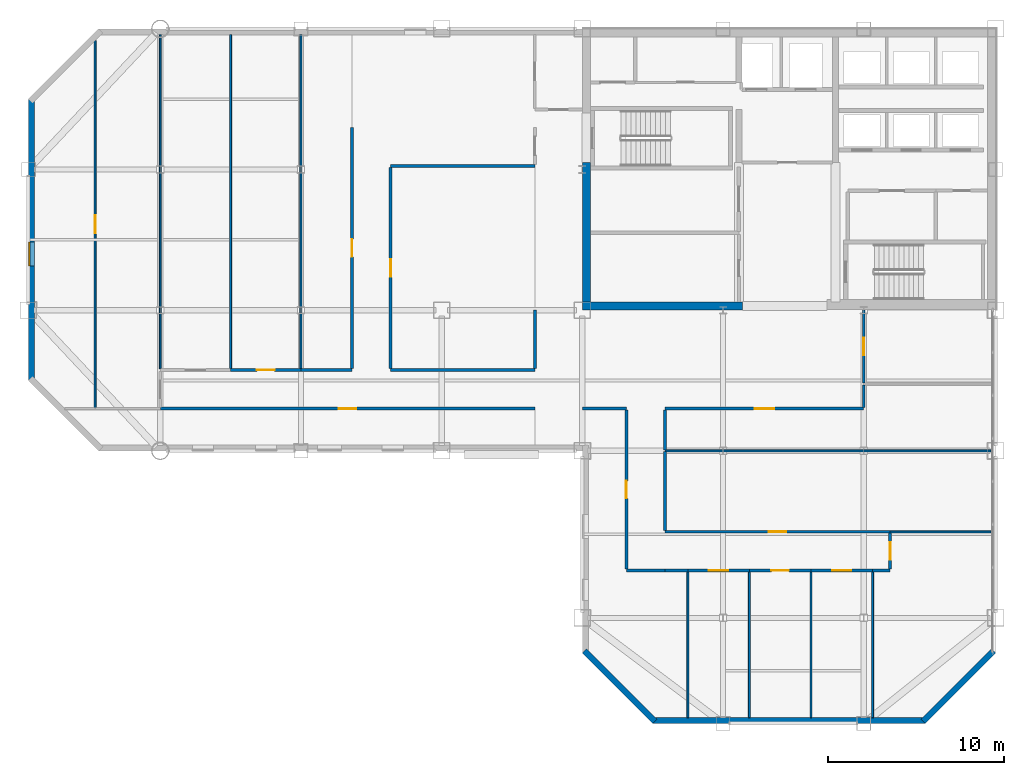
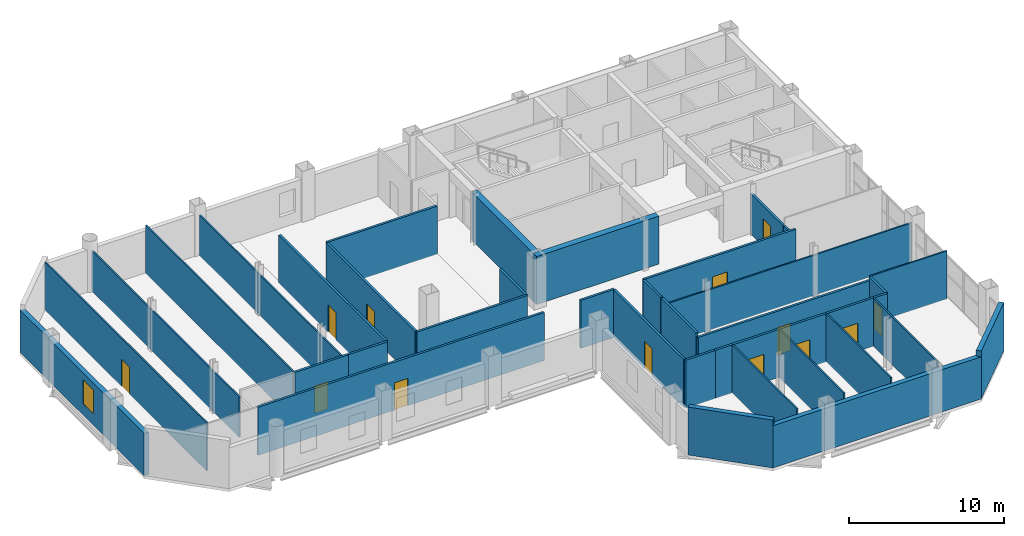
# One storey, part 8 of 12: 39 walls, 13 doors, 1 window, 14 openings.
"""IFC4 building model written with IfcOpenShell, lengths in metres."""

from ifc_helpers import new_model, si_unit, direction, frame, frame_2d, origin, place, context, subcontext, project, spatial, rectangle, extrude, material, layer, layer_set, type_object, element, fill, save


model = new_model("IFC4")

# Units and contexts
model_context = context("Model", 3, precision=1e-05, world=origin(), true_north=direction((0.0, 1.0)))
body_context = subcontext(model_context, "Body", "Model", "MODEL_VIEW")
ifc_project = project(units=[si_unit("LENGTHUNIT", "METRE"), si_unit("AREAUNIT", "SQUARE_METRE"), si_unit("VOLUMEUNIT", "CUBIC_METRE"), si_unit("PLANEANGLEUNIT", "RADIAN"), si_unit("MASSUNIT", "GRAM", prefix="KILO")], contexts=[model_context])

# Site, building, storey
site_placement = place(None, origin())
site = spatial("IfcSite", under=ifc_project, at=site_placement, CompositionType="ELEMENT")
building_placement = place(site_placement, origin())
building = spatial("IfcBuilding", under=site, at=building_placement, Name="Qianrong Seaharbour Tower", CompositionType="ELEMENT")
storey_placement = place(building_placement, frame((0.0, 0.0, 213.800048828125)))
storey = spatial("IfcBuildingStorey", under=building, at=storey_placement, Name="L51", CompositionType="ELEMENT", Elevation=213.800048828125)

# Walls
ifc_material_1 = material(Name="Concrete C60/75", Category="concrete")
ifc_layer_1 = layer(ifc_material_1, 0.4599609375)
ifc_layer_set_1 = layer_set([ifc_layer_1], Name="Concrete C60/75")
wall_type_1 = type_object("IfcWallType", Name="WALL-CORE-460", PredefinedType="SHEAR", material=ifc_layer_set_1)
wall_1_placement = place(storey_placement, frame((40.72998046875, 36.4599609375, 0.0), z_axis=(0.0, 0.0, 1.0), x_axis=(0.0, 1.0, 0.0)))
element("IfcWall", 1, at=wall_1_placement, inside=storey, type_object=wall_type_1, Name="L51 West Core Shear Wall South", PredefinedType="SHEAR", context=body_context, shape_type="SweptSolid", body=[
    extrude(rectangle(XDim=7.93994140625, YDim=0.4599609375, at=frame_2d((3.969970703125, 0.0))), origin(), (0.0, 0.0, 1.0), 3.77490234375),
])
wall_2_placement = place(storey_placement, frame((40.5, 36.22998046875, 0.0), z_axis=(0.0, 0.0, 1.0), x_axis=(1.0, 0.0, 0.0)))
element("IfcWall", 2, at=wall_2_placement, inside=storey, type_object=wall_type_1, Name="L51 South Core Shear Wall S1", PredefinedType="SHEAR", context=body_context, shape_type="SweptSolid", body=[
    extrude(rectangle(XDim=9.10009765625, YDim=0.4599609375, at=frame_2d((4.550048828125, 0.0))), origin(), (0.0, 0.0, 1.0), 3.77490234375),
])
ifc_material_2 = material(Name="Fire-rated acoustic gypsum board partition")
ifc_layer_2 = layer(ifc_material_2, 0.1650390625)
ifc_layer_set_2 = layer_set([ifc_layer_2], Name="Fire-rated acoustic gypsum board partition")
wall_type_2 = type_object("IfcWallType", Name="WALL-CORR-PART-165", PredefinedType="PARTITIONING", material=ifc_layer_set_2)
wall_3_placement = place(storey_placement, frame((29.60009765625, 32.60009765625, 0.0), z_axis=(0.0, 0.0, 1.0), x_axis=(1.0, 0.0, 0.0)))
element("IfcWall", 3, at=wall_3_placement, inside=storey, type_object=wall_type_2, Name="L51 Interior Partition Wall 015", PredefinedType="PARTITIONING", context=body_context, shape_type="SweptSolid", body=[
    extrude(rectangle(XDim=8.199951171875, YDim=0.1650390625, at=frame_2d((4.10009765625, 0.0))), origin(), (0.0, 0.0, 1.0), 3.77490234375),
])

# Wall, opening, door
wall_4_placement = place(storey_placement, frame((20.5, 32.60009765625, 0.0), z_axis=(0.0, 0.0, 1.0), x_axis=(1.0, 0.0, 0.0)))
wall_4 = element("IfcWall", 4, at=wall_4_placement, inside=storey, type_object=wall_type_2, Name="L51 Interior Partition Wall 018", PredefinedType="PARTITIONING", context=body_context, shape_type="SweptSolid", body=[
    extrude(rectangle(XDim=4.0, YDim=0.1650390625, at=frame_2d((2.0, 0.0))), origin(), (0.0, 0.0, 1.0), 3.77490234375),
])
opening_1_placement = place(wall_4_placement, frame((1.5, 0.0, 0.0)))
opening_1 = element("IfcOpeningElement", 5, at=opening_1_placement, cuts=wall_4, Name="Opening DO-01", PredefinedType="OPENING", context=body_context, shape_type="SweptSolid", body=[
    extrude(rectangle(XDim=1.0, YDim=2.14990234375, at=frame_2d((0.5, 1.074951171875))), frame((0.0, 0.092529296875, 0.0), z_axis=(0.0, -1.0, 0.0), x_axis=(1.0, 0.0, 0.0)), (0.0, 0.0, 1.0), 0.18505859375),
])
ifc_material_3 = material(Name="Acoustic timber and galvanized steel fire door assembly", Category="steel")
door_type_1 = type_object("IfcDoorType", Name="DOOR-OFFICE-1000x2150", OperationType="NOTDEFINED", PredefinedType="DOOR", material=ifc_material_3)
door_1_placement = place(opening_1_placement, origin())
door_1 = element("IfcDoor", 6, at=door_1_placement, inside=storey, type_object=door_type_1, Name="L51 Executive Office 4 Door", OperationType="SINGLE_SWING_LEFT", OverallHeight=2.14990234375, OverallWidth=1.0, PredefinedType="DOOR", context=body_context, shape_type="SweptSolid", body=[
    extrude(rectangle(XDim=1.0, YDim=2.14990234375, at=frame_2d((0.5, 1.074951171875))), frame((0.0, 0.02490234375, 0.0), z_axis=(0.0, -1.0, 0.0), x_axis=(1.0, 0.0, 0.0)), (0.0, 0.0, 1.0), 0.050048828125),
])
fill(opening_1, door_1)

# Wall
wall_5_placement = place(storey_placement, frame((24.5, 32.60009765625, 0.0), z_axis=(0.0, 0.0, 1.0), x_axis=(1.0, 0.0, 0.0)))
element("IfcWall", 7, at=wall_5_placement, inside=storey, type_object=wall_type_2, Name="L51 Interior Partition Wall 019", PredefinedType="PARTITIONING", context=body_context, shape_type="SweptSolid", body=[
    extrude(rectangle(XDim=2.89990234375, YDim=0.1650390625, at=frame_2d((1.449951171875, 0.0))), origin(), (0.0, 0.0, 1.0), 3.77490234375),
])

# Wall, opening, door
wall_6_placement = place(storey_placement, frame((37.800048828125, 30.39990234375, 0.0), z_axis=(0.0, 0.0, 1.0), x_axis=(-1.0, 0.0, 0.0)))
wall_6 = element("IfcWall", 8, at=wall_6_placement, inside=storey, type_object=wall_type_2, Name="L51 Interior Partition Wall 020", PredefinedType="PARTITIONING", context=body_context, shape_type="SweptSolid", body=[
    extrude(rectangle(XDim=21.300048828125, YDim=0.1650390625, at=frame_2d((10.64990234375, 0.0))), origin(), (0.0, 0.0, 1.0), 3.77490234375),
])
opening_2_placement = place(wall_6_placement, frame((10.14990234375, 0.0, 0.0)))
opening_2 = element("IfcOpeningElement", 9, at=opening_2_placement, cuts=wall_6, Name="Opening DO-01", PredefinedType="OPENING", context=body_context, shape_type="SweptSolid", body=[
    extrude(rectangle(XDim=1.0, YDim=2.14990234375, at=frame_2d((0.5, 1.074951171875))), frame((0.0, 0.092529296875, 0.0), z_axis=(0.0, -1.0, 0.0), x_axis=(1.0, 0.0, 0.0)), (0.0, 0.0, 1.0), 0.18505859375),
])
door_2_placement = place(opening_2_placement, origin())
door_2 = element("IfcDoor", 10, at=door_2_placement, inside=storey, type_object=door_type_1, Name="L51 Executive Office 1 Door", OperationType="SINGLE_SWING_RIGHT", OverallHeight=2.14990234375, OverallWidth=1.0, PredefinedType="DOOR", context=body_context, shape_type="SweptSolid", body=[
    extrude(rectangle(XDim=1.0, YDim=2.14990234375, at=frame_2d((0.5, 1.074951171875))), frame((0.0, 0.02490234375, 0.0), z_axis=(0.0, -1.0, 0.0), x_axis=(1.0, 0.0, 0.0)), (0.0, 0.0, 1.0), 0.050048828125),
])
fill(opening_2, door_2)

wall_7_placement = place(storey_placement, frame((29.60009765625, 44.12548828125, 0.0), z_axis=(0.0, 0.0, 1.0), x_axis=(0.0, -1.0, 0.0)))
wall_7 = element("IfcWall", 11, at=wall_7_placement, inside=storey, type_object=wall_type_2, Name="L51 Interior Partition Wall 021", PredefinedType="PARTITIONING", context=body_context, shape_type="SweptSolid", body=[
    extrude(rectangle(XDim=11.450927734375, YDim=0.1650390625, at=frame_2d((5.7255859375, 0.0))), origin(), (0.0, 0.0, 1.0), 3.77490234375),
])
opening_3_placement = place(wall_7_placement, frame((5.2255859375, 0.0, 0.0)))
opening_3 = element("IfcOpeningElement", 12, at=opening_3_placement, cuts=wall_7, Name="Opening DO-01", PredefinedType="OPENING", context=body_context, shape_type="SweptSolid", body=[
    extrude(rectangle(XDim=1.0, YDim=2.14990234375, at=frame_2d((0.5, 1.074951171875))), frame((0.0, 0.092529296875, 0.0), z_axis=(0.0, -1.0, 0.0), x_axis=(1.0, 0.0, 0.0)), (0.0, 0.0, 1.0), 0.18505859375),
])
door_3_placement = place(opening_3_placement, origin())
door_3 = element("IfcDoor", 13, at=door_3_placement, inside=storey, type_object=door_type_1, Name="L51 Open-Plan Office Door", OperationType="SINGLE_SWING_LEFT", OverallHeight=2.14990234375, OverallWidth=1.0, PredefinedType="DOOR", context=body_context, shape_type="SweptSolid", body=[
    extrude(rectangle(XDim=1.0, YDim=2.14990234375, at=frame_2d((0.5, 1.074951171875))), frame((0.0, 0.02490234375, 0.0), z_axis=(0.0, -1.0, 0.0), x_axis=(1.0, 0.0, 0.0)), (0.0, 0.0, 1.0), 0.050048828125),
])
fill(opening_3, door_3)

wall_8_placement = place(storey_placement, frame((27.39990234375, 32.674560546875, 0.0), z_axis=(0.0, 0.0, 1.0), x_axis=(0.0, 1.0, 0.0)))
wall_8 = element("IfcWall", 14, at=wall_8_placement, inside=storey, type_object=wall_type_2, Name="L51 Interior Partition Wall 022", PredefinedType="PARTITIONING", context=body_context, shape_type="SweptSolid", body=[
    extrude(rectangle(XDim=13.725341796875, YDim=0.1650390625, at=frame_2d((6.86279296875, 0.0))), origin(), (0.0, 0.0, 1.0), 3.77490234375),
])
opening_4_placement = place(wall_8_placement, frame((6.36279296875, 0.0, 0.0)))
opening_4 = element("IfcOpeningElement", 15, at=opening_4_placement, cuts=wall_8, Name="Opening DO-01", PredefinedType="OPENING", context=body_context, shape_type="SweptSolid", body=[
    extrude(rectangle(XDim=1.0, YDim=2.14990234375, at=frame_2d((0.5, 1.074951171875))), frame((0.0, 0.092529296875, 0.0), z_axis=(0.0, -1.0, 0.0), x_axis=(1.0, 0.0, 0.0)), (0.0, 0.0, 1.0), 0.18505859375),
])
door_4_placement = place(opening_4_placement, origin())
door_4 = element("IfcDoor", 16, at=door_4_placement, inside=storey, type_object=door_type_1, Name="L51 Executive Office 5 Door", OperationType="SINGLE_SWING_RIGHT", OverallHeight=2.14990234375, OverallWidth=1.0, PredefinedType="DOOR", context=body_context, shape_type="SweptSolid", body=[
    extrude(rectangle(XDim=1.0, YDim=2.14990234375, at=frame_2d((0.5, 1.074951171875))), frame((0.0, 0.02490234375, 0.0), z_axis=(0.0, -1.0, 0.0), x_axis=(1.0, 0.0, 0.0)), (0.0, 0.0, 1.0), 0.050048828125),
])
fill(opening_4, door_4)

# Walls
wall_9_placement = place(storey_placement, frame((37.800048828125, 44.199951171875, 0.0), z_axis=(0.0, 0.0, 1.0), x_axis=(-1.0, 0.0, 0.0)))
element("IfcWall", 17, at=wall_9_placement, inside=storey, type_object=wall_type_2, Name="L51 Interior Partition Wall 023", PredefinedType="PARTITIONING", context=body_context, shape_type="SweptSolid", body=[
    extrude(rectangle(XDim=8.199951171875, YDim=0.1650390625, at=frame_2d((4.10009765625, 0.0))), origin(), (0.0, 0.0, 1.0), 3.77490234375),
])
wall_10_placement = place(storey_placement, frame((37.800048828125, 32.674560546875, 0.0), z_axis=(0.0, 0.0, 1.0), x_axis=(0.0, 1.0, 0.0)))
element("IfcWall", 18, at=wall_10_placement, inside=storey, type_object=wall_type_2, Name="L51 Interior Partition Wall 024", PredefinedType="PARTITIONING", context=body_context, shape_type="SweptSolid", body=[
    extrude(rectangle(XDim=3.325439453125, YDim=0.1650390625, at=frame_2d((1.66259765625, 0.0))), origin(), (0.0, 0.0, 1.0), 3.77490234375),
])
wall_11_placement = place(storey_placement, frame((56.5, 31.7529296875, 0.0), z_axis=(0.0, 0.0, 1.0), x_axis=(0.0, -1.0, 0.0)))
element("IfcWall", 19, at=wall_11_placement, inside=storey, type_object=wall_type_2, Name="L51 Interior Partition Wall 025", PredefinedType="PARTITIONING", context=body_context, shape_type="SweptSolid", body=[
    extrude(rectangle(XDim=1.2783203125, YDim=0.1650390625, at=frame_2d((0.63916015625, 0.0))), origin(), (0.0, 0.0, 1.0), 3.178955078125),
])

# Wall, opening, door
wall_12_placement = place(storey_placement, frame((56.5, 30.39990234375, 0.0), z_axis=(0.0, 0.0, 1.0), x_axis=(-1.0, 0.0, 0.0)))
wall_12 = element("IfcWall", 20, at=wall_12_placement, inside=storey, type_object=wall_type_2, Name="L51 Interior Partition Wall 026", PredefinedType="PARTITIONING", context=body_context, shape_type="SweptSolid", body=[
    extrude(rectangle(XDim=11.300048828125, YDim=0.1650390625, at=frame_2d((5.64990234375, 0.0))), origin(), (0.0, 0.0, 1.0), 3.77490234375),
])
opening_5_placement = place(wall_12_placement, frame((5.10009765625, 0.0, 0.0)))
opening_5 = element("IfcOpeningElement", 21, at=opening_5_placement, cuts=wall_12, Name="Opening DM-01", PredefinedType="OPENING", context=body_context, shape_type="SweptSolid", body=[
    extrude(rectangle(XDim=1.10009765625, YDim=2.199951171875, at=frame_2d((0.550048828125, 1.10009765625))), frame((0.0, 0.092529296875, 0.0), z_axis=(0.0, -1.0, 0.0), x_axis=(1.0, 0.0, 0.0)), (0.0, 0.0, 1.0), 0.18505859375),
])
door_type_2 = type_object("IfcDoorType", Name="DOOR-MEET-1100x2200", OperationType="NOTDEFINED", PredefinedType="DOOR", material=ifc_material_3)
door_5_placement = place(opening_5_placement, origin())
door_5 = element("IfcDoor", 22, at=door_5_placement, inside=storey, type_object=door_type_2, Name="L51 Boardroom 2 Door", OperationType="SINGLE_SWING_RIGHT", OverallHeight=2.199951171875, OverallWidth=1.10009765625, PredefinedType="DOOR", context=body_context, shape_type="SweptSolid", body=[
    extrude(rectangle(XDim=1.10009765625, YDim=2.199951171875, at=frame_2d((0.550048828125, 1.10009765625))), frame((0.0, 0.02490234375, 0.0), z_axis=(0.0, -1.0, 0.0), x_axis=(1.0, 0.0, 0.0)), (0.0, 0.0, 1.0), 0.050048828125),
])
fill(opening_5, door_5)

wall_13_placement = place(storey_placement, frame((56.5, 36.0, 0.0), z_axis=(0.0, 0.0, 1.0), x_axis=(0.0, -1.0, 0.0)))
wall_13 = element("IfcWall", 23, at=wall_13_placement, inside=storey, type_object=wall_type_2, Name="L51 Interior Partition Wall 027", PredefinedType="PARTITIONING", context=body_context, shape_type="SweptSolid", body=[
    extrude(rectangle(XDim=4.153076171875, YDim=0.1650390625, at=frame_2d((2.07666015625, 0.0))), origin(), (0.0, 0.0, 1.0), 3.178955078125),
])
opening_6_placement = place(wall_13_placement, frame((1.576416015625, 0.0, 0.0)))
opening_6 = element("IfcOpeningElement", 24, at=opening_6_placement, cuts=wall_13, Name="Opening DO-01", PredefinedType="OPENING", context=body_context, shape_type="SweptSolid", body=[
    extrude(rectangle(XDim=1.0, YDim=2.14990234375, at=frame_2d((0.5, 1.074951171875))), frame((0.0, 0.092529296875, 0.0), z_axis=(0.0, -1.0, 0.0), x_axis=(1.0, 0.0, 0.0)), (0.0, 0.0, 1.0), 0.18505859375),
])
door_6_placement = place(opening_6_placement, origin())
door_6 = element("IfcDoor", 25, at=door_6_placement, inside=storey, type_object=door_type_1, Name="L51 Focus Room 3 Door", OperationType="SINGLE_SWING_LEFT", OverallHeight=2.14990234375, OverallWidth=1.0, PredefinedType="DOOR", context=body_context, shape_type="SweptSolid", body=[
    extrude(rectangle(XDim=1.0, YDim=2.14990234375, at=frame_2d((0.5, 1.074951171875))), frame((0.0, 0.02490234375, 0.0), z_axis=(0.0, -1.0, 0.0), x_axis=(1.0, 0.0, 0.0)), (0.0, 0.0, 1.0), 0.050048828125),
])
fill(opening_6, door_6)

# Walls
wall_14_placement = place(storey_placement, frame((43.0, 30.39990234375, 0.0), z_axis=(0.0, 0.0, 1.0), x_axis=(-1.0, 0.0, 0.0)))
element("IfcWall", 26, at=wall_14_placement, inside=storey, type_object=wall_type_2, Name="L51 Interior Partition Wall 028", PredefinedType="PARTITIONING", context=body_context, shape_type="SweptSolid", body=[
    extrude(rectangle(XDim=2.5, YDim=0.1650390625, at=frame_2d((1.25, 0.0))), origin(), (0.0, 0.0, 1.0), 3.77490234375),
])
wall_15_placement = place(storey_placement, frame((45.199951171875, 27.952880859375, 0.0), z_axis=(0.0, 0.0, 1.0), x_axis=(0.0, -1.0, 0.0)))
element("IfcWall", 27, at=wall_15_placement, inside=storey, type_object=wall_type_2, Name="L51 Interior Partition Wall 029", PredefinedType="PARTITIONING", context=body_context, shape_type="SweptSolid", body=[
    extrude(rectangle(XDim=4.478271484375, YDim=0.1650390625, at=frame_2d((2.2392578125, 0.0))), origin(), (0.0, 0.0, 1.0), 3.77490234375),
])
wall_16_placement = place(storey_placement, frame((45.199951171875, 30.325439453125, 0.0), z_axis=(0.0, 0.0, 1.0), x_axis=(0.0, -1.0, 0.0)))
element("IfcWall", 28, at=wall_16_placement, inside=storey, type_object=wall_type_2, Name="L51 Interior Partition Wall 030", PredefinedType="PARTITIONING", context=body_context, shape_type="SweptSolid", body=[
    extrude(rectangle(XDim=2.2783203125, YDim=0.1650390625, at=frame_2d((1.13916015625, 0.0))), origin(), (0.0, 0.0, 1.0), 3.77490234375),
])
wall_17_placement = place(storey_placement, frame((45.199951171875, 21.199951171875, 0.0), z_axis=(0.0, 0.0, 1.0), x_axis=(-1.0, 0.0, 0.0)))
element("IfcWall", 29, at=wall_17_placement, inside=storey, type_object=wall_type_2, Name="L51 Interior Partition Wall 031", PredefinedType="PARTITIONING", context=body_context, shape_type="SweptSolid", body=[
    extrude(rectangle(XDim=2.199951171875, YDim=0.1650390625, at=frame_2d((1.10009765625, 0.0))), origin(), (0.0, 0.0, 1.0), 3.77490234375),
])

# Wall, opening, door
wall_18_placement = place(storey_placement, frame((43.0, 21.2744140625, 0.0), z_axis=(0.0, 0.0, 1.0), x_axis=(0.0, 1.0, 0.0)))
wall_18 = element("IfcWall", 30, at=wall_18_placement, inside=storey, type_object=wall_type_2, Name="L51 Interior Partition Wall 032", PredefinedType="PARTITIONING", context=body_context, shape_type="SweptSolid", body=[
    extrude(rectangle(XDim=9.051025390625, YDim=0.1650390625, at=frame_2d((4.525390625, 0.0))), origin(), (0.0, 0.0, 1.0), 3.77490234375),
])
opening_7_placement = place(wall_18_placement, frame((4.025390625, 0.0, 0.0)))
opening_7 = element("IfcOpeningElement", 31, at=opening_7_placement, cuts=wall_18, Name="Opening DO-01", PredefinedType="OPENING", context=body_context, shape_type="SweptSolid", body=[
    extrude(rectangle(XDim=1.0, YDim=2.14990234375, at=frame_2d((0.5, 1.074951171875))), frame((0.0, 0.092529296875, 0.0), z_axis=(0.0, -1.0, 0.0), x_axis=(1.0, 0.0, 0.0)), (0.0, 0.0, 1.0), 0.18505859375),
])
door_7_placement = place(opening_7_placement, origin())
door_7 = element("IfcDoor", 32, at=door_7_placement, inside=storey, type_object=door_type_1, Name="L51 Executive Office 1 Door", OperationType="SINGLE_SWING_LEFT", OverallHeight=2.14990234375, OverallWidth=1.0, PredefinedType="DOOR", context=body_context, shape_type="SweptSolid", body=[
    extrude(rectangle(XDim=1.0, YDim=2.14990234375, at=frame_2d((0.5, 1.074951171875))), frame((0.0, 0.02490234375, 0.0), z_axis=(0.0, -1.0, 0.0), x_axis=(1.0, 0.0, 0.0)), (0.0, 0.0, 1.0), 0.050048828125),
])
fill(opening_7, door_7)

wall_19_placement = place(storey_placement, frame((45.199951171875, 23.39990234375, 0.0), z_axis=(0.0, 0.0, 1.0), x_axis=(1.0, 0.0, 0.0)))
wall_19 = element("IfcWall", 33, at=wall_19_placement, inside=storey, type_object=wall_type_2, Name="L51 Interior Partition Wall 033", PredefinedType="PARTITIONING", context=body_context, shape_type="SweptSolid", body=[
    extrude(rectangle(XDim=12.800048828125, YDim=0.1650390625, at=frame_2d((6.39990234375, 0.0))), origin(), (0.0, 0.0, 1.0), 3.467041015625),
])
opening_8_placement = place(wall_19_placement, frame((5.89990234375, 0.0, 0.0)))
opening_8 = element("IfcOpeningElement", 34, at=opening_8_placement, cuts=wall_19, Name="Opening DO-01", PredefinedType="OPENING", context=body_context, shape_type="SweptSolid", body=[
    extrude(rectangle(XDim=1.0, YDim=2.14990234375, at=frame_2d((0.5, 1.074951171875))), frame((0.0, 0.092529296875, 0.0), z_axis=(0.0, -1.0, 0.0), x_axis=(1.0, 0.0, 0.0)), (0.0, 0.0, 1.0), 0.18505859375),
])
door_8_placement = place(opening_8_placement, origin())
door_8 = element("IfcDoor", 35, at=door_8_placement, inside=storey, type_object=door_type_1, Name="L51 Executive Office 1 Door", OperationType="SINGLE_SWING_LEFT", OverallHeight=2.14990234375, OverallWidth=1.0, PredefinedType="DOOR", context=body_context, shape_type="SweptSolid", body=[
    extrude(rectangle(XDim=1.0, YDim=2.14990234375, at=frame_2d((0.5, 1.074951171875))), frame((0.0, 0.02490234375, 0.0), z_axis=(0.0, -1.0, 0.0), x_axis=(1.0, 0.0, 0.0)), (0.0, 0.0, 1.0), 0.050048828125),
])
fill(opening_8, door_8)

# Wall
wall_20_placement = place(storey_placement, frame((46.5, 21.199951171875, 0.0), z_axis=(0.0, 0.0, 1.0), x_axis=(-1.0, 0.0, 0.0)))
element("IfcWall", 36, at=wall_20_placement, inside=storey, type_object=wall_type_2, Name="L51 Interior Partition Wall 034", PredefinedType="PARTITIONING", context=body_context, shape_type="SweptSolid", body=[
    extrude(rectangle(XDim=1.300048828125, YDim=0.1650390625, at=frame_2d((0.64990234375, 0.0))), origin(), (0.0, 0.0, 1.0), 3.77490234375),
])

# Wall, opening, door
wall_21_placement = place(storey_placement, frame((50.0, 21.199951171875, 0.0), z_axis=(0.0, 0.0, 1.0), x_axis=(-1.0, 0.0, 0.0)))
wall_21 = element("IfcWall", 37, at=wall_21_placement, inside=storey, type_object=wall_type_2, Name="L51 Interior Partition Wall 035", PredefinedType="PARTITIONING", context=body_context, shape_type="SweptSolid", body=[
    extrude(rectangle(XDim=3.5, YDim=0.1650390625, at=frame_2d((1.75, 0.0))), origin(), (0.0, 0.0, 1.0), 3.77490234375),
])
opening_9_placement = place(wall_21_placement, frame((1.199951171875, 0.0, 0.0)))
opening_9 = element("IfcOpeningElement", 38, at=opening_9_placement, cuts=wall_21, Name="Opening DM-01", PredefinedType="OPENING", context=body_context, shape_type="SweptSolid", body=[
    extrude(rectangle(XDim=1.10009765625, YDim=2.199951171875, at=frame_2d((0.550048828125, 1.10009765625))), frame((0.0, 0.092529296875, 0.0), z_axis=(0.0, -1.0, 0.0), x_axis=(1.0, 0.0, 0.0)), (0.0, 0.0, 1.0), 0.18505859375),
])
door_9_placement = place(opening_9_placement, origin())
door_9 = element("IfcDoor", 39, at=door_9_placement, inside=storey, type_object=door_type_2, Name="L51 Meeting Room 2 Door", OperationType="SINGLE_SWING_RIGHT", OverallHeight=2.199951171875, OverallWidth=1.10009765625, PredefinedType="DOOR", context=body_context, shape_type="SweptSolid", body=[
    extrude(rectangle(XDim=1.10009765625, YDim=2.199951171875, at=frame_2d((0.550048828125, 1.10009765625))), frame((0.0, 0.02490234375, 0.0), z_axis=(0.0, -1.0, 0.0), x_axis=(1.0, 0.0, 0.0)), (0.0, 0.0, 1.0), 0.050048828125),
])
fill(opening_9, door_9)

wall_22_placement = place(storey_placement, frame((53.5, 21.199951171875, 0.0), z_axis=(0.0, 0.0, 1.0), x_axis=(-1.0, 0.0, 0.0)))
wall_22 = element("IfcWall", 40, at=wall_22_placement, inside=storey, type_object=wall_type_2, Name="L51 Interior Partition Wall 036", PredefinedType="PARTITIONING", context=body_context, shape_type="SweptSolid", body=[
    extrude(rectangle(XDim=3.5, YDim=0.1650390625, at=frame_2d((1.75, 0.0))), origin(), (0.0, 0.0, 1.0), 3.77490234375),
])
opening_10_placement = place(wall_22_placement, frame((1.25, 0.0, 0.0)))
opening_10 = element("IfcOpeningElement", 41, at=opening_10_placement, cuts=wall_22, Name="Opening DO-01", PredefinedType="OPENING", context=body_context, shape_type="SweptSolid", body=[
    extrude(rectangle(XDim=1.0, YDim=2.14990234375, at=frame_2d((0.5, 1.074951171875))), frame((0.0, 0.092529296875, 0.0), z_axis=(0.0, -1.0, 0.0), x_axis=(1.0, 0.0, 0.0)), (0.0, 0.0, 1.0), 0.18505859375),
])
door_10_placement = place(opening_10_placement, origin())
door_10 = element("IfcDoor", 42, at=door_10_placement, inside=storey, type_object=door_type_1, Name="L51 Executive Office 3 Door", OperationType="SINGLE_SWING_LEFT", OverallHeight=2.14990234375, OverallWidth=1.0, PredefinedType="DOOR", context=body_context, shape_type="SweptSolid", body=[
    extrude(rectangle(XDim=1.0, YDim=2.14990234375, at=frame_2d((0.5, 1.074951171875))), frame((0.0, 0.02490234375, 0.0), z_axis=(0.0, -1.0, 0.0), x_axis=(1.0, 0.0, 0.0)), (0.0, 0.0, 1.0), 0.050048828125),
])
fill(opening_10, door_10)

wall_23_placement = place(storey_placement, frame((57.0, 21.199951171875, 0.0), z_axis=(0.0, 0.0, 1.0), x_axis=(-1.0, 0.0, 0.0)))
wall_23 = element("IfcWall", 43, at=wall_23_placement, inside=storey, type_object=wall_type_2, Name="L51 Interior Partition Wall 037", PredefinedType="PARTITIONING", context=body_context, shape_type="SweptSolid", body=[
    extrude(rectangle(XDim=3.5, YDim=0.1650390625, at=frame_2d((1.75, 0.0))), origin(), (0.0, 0.0, 1.0), 3.77490234375),
])
opening_11_placement = place(wall_23_placement, frame((1.199951171875, 0.0, 0.0)))
opening_11 = element("IfcOpeningElement", 44, at=opening_11_placement, cuts=wall_23, Name="Opening DM-01", PredefinedType="OPENING", context=body_context, shape_type="SweptSolid", body=[
    extrude(rectangle(XDim=1.10009765625, YDim=2.199951171875, at=frame_2d((0.550048828125, 1.10009765625))), frame((0.0, 0.092529296875, 0.0), z_axis=(0.0, -1.0, 0.0), x_axis=(1.0, 0.0, 0.0)), (0.0, 0.0, 1.0), 0.18505859375),
])
door_11_placement = place(opening_11_placement, origin())
door_11 = element("IfcDoor", 45, at=door_11_placement, inside=storey, type_object=door_type_2, Name="L51 Meeting Room 4 Door", OperationType="SINGLE_SWING_RIGHT", OverallHeight=2.199951171875, OverallWidth=1.10009765625, PredefinedType="DOOR", context=body_context, shape_type="SweptSolid", body=[
    extrude(rectangle(XDim=1.10009765625, YDim=2.199951171875, at=frame_2d((0.550048828125, 1.10009765625))), frame((0.0, 0.02490234375, 0.0), z_axis=(0.0, -1.0, 0.0), x_axis=(1.0, 0.0, 0.0)), (0.0, 0.0, 1.0), 0.050048828125),
])
fill(opening_11, door_11)

wall_24_placement = place(storey_placement, frame((58.0, 23.325439453125, 0.0), z_axis=(0.0, 0.0, 1.0), x_axis=(0.0, -1.0, 0.0)))
wall_24 = element("IfcWall", 46, at=wall_24_placement, inside=storey, type_object=wall_type_2, Name="L51 Interior Partition Wall 038", PredefinedType="PARTITIONING", context=body_context, shape_type="SweptSolid", body=[
    extrude(rectangle(XDim=2.051025390625, YDim=0.1650390625, at=frame_2d((1.025390625, 0.0))), origin(), (0.0, 0.0, 1.0), 3.77490234375),
])
opening_12_placement = place(wall_24_placement, frame((0.525390625, 0.0, 0.0)))
opening_12 = element("IfcOpeningElement", 47, at=opening_12_placement, cuts=wall_24, Name="Opening DO-01", PredefinedType="OPENING", context=body_context, shape_type="SweptSolid", body=[
    extrude(rectangle(XDim=1.0, YDim=2.14990234375, at=frame_2d((0.5, 1.074951171875))), frame((0.0, 0.092529296875, 0.0), z_axis=(0.0, -1.0, 0.0), x_axis=(1.0, 0.0, 0.0)), (0.0, 0.0, 1.0), 0.18505859375),
])
door_12_placement = place(opening_12_placement, origin())
door_12 = element("IfcDoor", 48, at=door_12_placement, inside=storey, type_object=door_type_1, Name="L51 Executive Office 5 Door", OperationType="SINGLE_SWING_LEFT", OverallHeight=2.14990234375, OverallWidth=1.0, PredefinedType="DOOR", context=body_context, shape_type="SweptSolid", body=[
    extrude(rectangle(XDim=1.0, YDim=2.14990234375, at=frame_2d((0.5, 1.074951171875))), frame((0.0, 0.02490234375, 0.0), z_axis=(0.0, -1.0, 0.0), x_axis=(1.0, 0.0, 0.0)), (0.0, 0.0, 1.0), 0.050048828125),
])
fill(opening_12, door_12)

# Wall
wall_25_placement = place(storey_placement, frame((58.0, 21.199951171875, 0.0), z_axis=(0.0, 0.0, 1.0), x_axis=(-1.0, 0.0, 0.0)))
element("IfcWall", 49, at=wall_25_placement, inside=storey, type_object=wall_type_2, Name="L51 Interior Partition Wall 039", PredefinedType="PARTITIONING", context=body_context, shape_type="SweptSolid", body=[
    extrude(rectangle(XDim=1.0, YDim=0.1650390625, at=frame_2d((0.5, 0.0))), origin(), (0.0, 0.0, 1.0), 3.77490234375),
])

# Wall, opening, door
ifc_material_4 = material(Name="Demountable aluminium-framed acoustic office partition", Category="aluminium")
ifc_layer_3 = layer(ifc_material_4, 0.110107421875)
ifc_layer_set_3 = layer_set([ifc_layer_3], Name="Demountable aluminium-framed acoustic office partition")
wall_type_3 = type_object("IfcWallType", Name="WALL-DEMOUNT-110", PredefinedType="MOVABLE", material=ifc_layer_set_3)
wall_26_placement = place(storey_placement, frame((12.800048828125, 51.33056640625, 0.0), z_axis=(0.0, 0.0, 1.0), x_axis=(0.0, -1.0, 0.0)))
wall_26 = element("IfcWall", 50, at=wall_26_placement, inside=storey, type_object=wall_type_3, Name="L51 Interior Partition Wall 040", PredefinedType="MOVABLE", context=body_context, shape_type="SweptSolid", body=[
    extrude(rectangle(XDim=20.883544921875, YDim=0.110107421875, at=frame_2d((10.44189453125, 0.0))), origin(), (0.0, 0.0, 1.0), 3.77490234375),
])
opening_13_placement = place(wall_26_placement, frame((9.94189453125, 0.0, 0.0)))
opening_13 = element("IfcOpeningElement", 51, at=opening_13_placement, cuts=wall_26, Name="Opening DO-01", PredefinedType="OPENING", context=body_context, shape_type="SweptSolid", body=[
    extrude(rectangle(XDim=1.0, YDim=2.14990234375, at=frame_2d((0.5, 1.074951171875))), frame((0.0, 0.06494140625, 0.0), z_axis=(0.0, -1.0, 0.0), x_axis=(1.0, 0.0, 0.0)), (0.0, 0.0, 1.0), 0.130126953125),
])
door_13_placement = place(opening_13_placement, origin())
door_13 = element("IfcDoor", 52, at=door_13_placement, inside=storey, type_object=door_type_1, Name="L51 Executive Office 1 Door", OperationType="SINGLE_SWING_RIGHT", OverallHeight=2.14990234375, OverallWidth=1.0, PredefinedType="DOOR", context=body_context, shape_type="SweptSolid", body=[
    extrude(rectangle(XDim=1.0, YDim=2.14990234375, at=frame_2d((0.5, 1.074951171875))), frame((0.0, 0.02490234375, 0.0), z_axis=(0.0, -1.0, 0.0), x_axis=(1.0, 0.0, 0.0)), (0.0, 0.0, 1.0), 0.050048828125),
])
fill(opening_13, door_13)

# Walls
wall_27_placement = place(storey_placement, frame((16.5, 51.66796875, 0.0), z_axis=(0.0, 0.0, 1.0), x_axis=(0.0, -1.0, 0.0)))
element("IfcWall", 53, at=wall_27_placement, inside=storey, type_object=wall_type_3, Name="L51 Interior Partition Wall 042", PredefinedType="MOVABLE", context=body_context, shape_type="SweptSolid", body=[
    extrude(rectangle(XDim=18.993408203125, YDim=0.110107421875, at=frame_2d((9.49658203125, 0.0))), origin(), (0.0, 0.0, 1.0), 3.178955078125),
])
wall_28_placement = place(storey_placement, frame((20.5, 51.66796875, 0.0), z_axis=(0.0, 0.0, 1.0), x_axis=(0.0, -1.0, 0.0)))
element("IfcWall", 54, at=wall_28_placement, inside=storey, type_object=wall_type_3, Name="L51 Interior Partition Wall 044", PredefinedType="MOVABLE", context=body_context, shape_type="SweptSolid", body=[
    extrude(rectangle(XDim=18.993408203125, YDim=0.110107421875, at=frame_2d((9.49658203125, 0.0))), origin(), (0.0, 0.0, 1.0), 3.77490234375),
])
wall_29_placement = place(storey_placement, frame((24.5, 51.66796875, 0.0), z_axis=(0.0, 0.0, 1.0), x_axis=(0.0, -1.0, 0.0)))
element("IfcWall", 55, at=wall_29_placement, inside=storey, type_object=wall_type_3, Name="L51 Interior Partition Wall 045", PredefinedType="MOVABLE", context=body_context, shape_type="SweptSolid", body=[
    extrude(rectangle(XDim=18.993408203125, YDim=0.110107421875, at=frame_2d((9.49658203125, 0.0))), origin(), (0.0, 0.0, 1.0), 3.178955078125),
])
wall_30_placement = place(storey_placement, frame((45.199951171875, 28.0, 0.0), z_axis=(0.0, 0.0, 1.0), x_axis=(1.0, 0.0, 0.0)))
element("IfcWall", 56, at=wall_30_placement, inside=storey, type_object=wall_type_3, Name="L51 Interior Partition Wall 046", PredefinedType="MOVABLE", context=body_context, shape_type="SweptSolid", body=[
    extrude(rectangle(XDim=18.528076171875, YDim=0.110107421875, at=frame_2d((9.26416015625, 0.0))), origin(), (0.0, 0.0, 1.0), 3.178955078125),
])
wall_31_placement = place(storey_placement, frame((63.72802734375, 23.39990234375, 0.0), z_axis=(0.0, 0.0, 1.0), x_axis=(-1.0, 0.0, 0.0)))
element("IfcWall", 57, at=wall_31_placement, inside=storey, type_object=wall_type_3, Name="L51 Interior Partition Wall 047", PredefinedType="MOVABLE", context=body_context, shape_type="SweptSolid", body=[
    extrude(rectangle(XDim=5.72802734375, YDim=0.110107421875, at=frame_2d((2.864013671875, 0.0))), origin(), (0.0, 0.0, 1.0), 3.77490234375),
])
for number, where, z_axis, x_axis, name in (
    (58, (46.5, 21.12548828125, 0.0), (0.0, 0.0, 1.0), (0.0, -1.0, 0.0), "L51 Interior Partition Wall 049"),
    (59, (50.0, 21.12548828125, 0.0), (0.0, 0.0, 1.0), (0.0, -1.0, 0.0), "L51 Interior Partition Wall 050"),
    (60, (53.5, 21.12548828125, 0.0), (0.0, 0.0, 1.0), (0.0, -1.0, 0.0), "L51 Interior Partition Wall 051"),
    (61, (57.0, 21.12548828125, 0.0), (0.0, 0.0, 1.0), (0.0, -1.0, 0.0), "L51 Interior Partition Wall 052"),
):
    element("IfcWall", number, at=place(storey_placement, frame(where, z_axis=z_axis, x_axis=x_axis)), inside=storey, type_object=wall_type_3, Name=name, PredefinedType="MOVABLE", context=body_context, shape_type="SweptSolid", body=[
        extrude(rectangle(XDim=8.29345703125, YDim=0.110107421875, at=frame_2d((4.146728515625, 0.0))), origin(), (0.0, 0.0, 1.0), 3.77490234375),
    ])

# Wall, opening, window
ifc_material_5 = material(Name="Unitised buff brick on Precast concrete C45/55", Category="masonry")
ifc_layer_4 = layer(ifc_material_5, 0.340087890625)
ifc_layer_set_4 = layer_set([ifc_layer_4], Name="Unitised buff brick on Precast concrete C45/55")
wall_type_4 = type_object("IfcWallType", Name="WALL-EXT-BRICK-BUFF-340", PredefinedType="SOLIDWALL", material=ifc_layer_set_4)
wall_32_placement = place(storey_placement, frame((9.169921875, 32.0, 0.0), z_axis=(0.0, 0.0, 1.0), x_axis=(0.0, 1.0, 0.0)))
wall_32 = element("IfcWall", 62, at=wall_32_placement, inside=storey, type_object=wall_type_4, Name="L51 Exterior Masonry Facade Wall WEST_TIP", PredefinedType="SOLIDWALL", context=body_context, shape_type="SweptSolid", body=[
    extrude(rectangle(XDim=16.0, YDim=0.340087890625, at=frame_2d((8.0, 0.0))), origin(), (0.0, 0.0, 1.0), 3.324951171875),
])
opening_14_placement = place(wall_32_placement, frame((6.52490234375, 0.0, 0.89990234375)))
opening_14 = element("IfcOpeningElement", 63, at=opening_14_placement, cuts=wall_32, Name="Opening WN-02", PredefinedType="OPENING", context=body_context, shape_type="SweptSolid", body=[
    extrude(rectangle(XDim=1.35009765625, YDim=1.85009765625, at=frame_2d((0.675048828125, 0.925048828125))), frame((0.0, 0.18017578125, 0.0), z_axis=(0.0, -1.0, 0.0), x_axis=(1.0, 0.0, 0.0)), (0.0, 0.0, 1.0), 0.360107421875),
])
ifc_material_6 = material(Name="Insulated low-e double glazing in thermally broken aluminium 6063-T6 frame", Category="aluminium")
window_type = type_object("IfcWindowType", Name="WIN-PUNCH-1350x1850", PartitioningType="DOUBLE_PANEL_VERTICAL", PredefinedType="WINDOW", material=ifc_material_6)
window_placement = place(opening_14_placement, origin())
window = element("IfcWindow", 64, at=window_placement, inside=storey, type_object=window_type, Name="L51 Deep-Set Punched Window 03.02", OverallHeight=1.85009765625, OverallWidth=1.35009765625, PartitioningType="DOUBLE_PANEL_VERTICAL", PredefinedType="WINDOW", context=body_context, shape_type="SweptSolid", body=[
    extrude(rectangle(XDim=1.35009765625, YDim=1.85009765625, at=frame_2d((0.675048828125, 0.925048828125))), frame((0.0, 0.150146484375, 0.0), z_axis=(0.0, -1.0, 0.0), x_axis=(1.0, 0.0, 0.0)), (0.0, 0.0, 1.0), 0.06005859375),
])
fill(opening_14, window)

# Walls
wall_33_placement = place(storey_placement, frame((63.8798828125, 16.6201171875, 0.0), z_axis=(0.0, 0.0, 1.0), x_axis=(-0.707106781187, -0.707106781187, 0.0)))
element("IfcWall", 65, at=wall_33_placement, inside=storey, type_object=wall_type_4, Name="L51 Exterior Masonry Facade Wall E07", PredefinedType="SOLIDWALL", context=body_context, shape_type="SweptSolid", body=[
    extrude(rectangle(XDim=5.65673828125, YDim=0.340087890625, at=frame_2d((2.828369140625, 0.0))), origin(), (0.0, 0.0, 1.0), 3.77490234375),
])
wall_34_placement = place(storey_placement, frame((60.0, 12.669921875, 0.0), z_axis=(0.0, 0.0, 1.0), x_axis=(-1.0, 0.0, 0.0)))
element("IfcWall", 66, at=wall_34_placement, inside=storey, type_object=wall_type_4, Name="L51 Exterior Masonry Facade Wall SOUTH_TIP", PredefinedType="SOLIDWALL", context=body_context, shape_type="SweptSolid", body=[
    extrude(rectangle(XDim=15.5, YDim=0.340087890625, at=frame_2d((7.75, 0.0))), origin(), (0.0, 0.0, 1.0), 3.324951171875),
])
wall_35_placement = place(storey_placement, frame((44.6201171875, 12.6201171875, 0.0), z_axis=(0.0, 0.0, 1.0), x_axis=(-0.707106781187, 0.707106781187, 0.0)))
element("IfcWall", 67, at=wall_35_placement, inside=storey, type_object=wall_type_4, Name="L51 Exterior Masonry Facade Wall E09", PredefinedType="SOLIDWALL", context=body_context, shape_type="SweptSolid", body=[
    extrude(rectangle(XDim=5.65673828125, YDim=0.340087890625, at=frame_2d((2.828369140625, 0.0))), origin(), (0.0, 0.0, 1.0), 3.77490234375),
])

save(model, "model.ifc")
